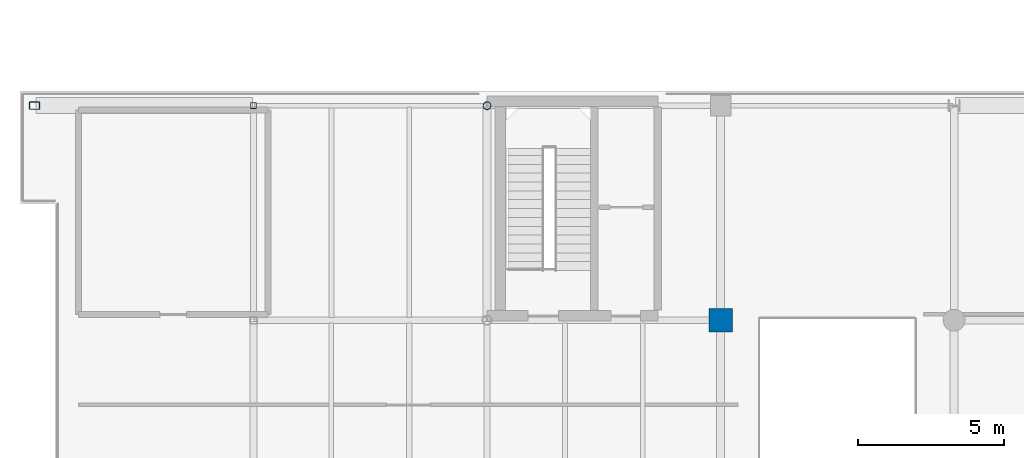
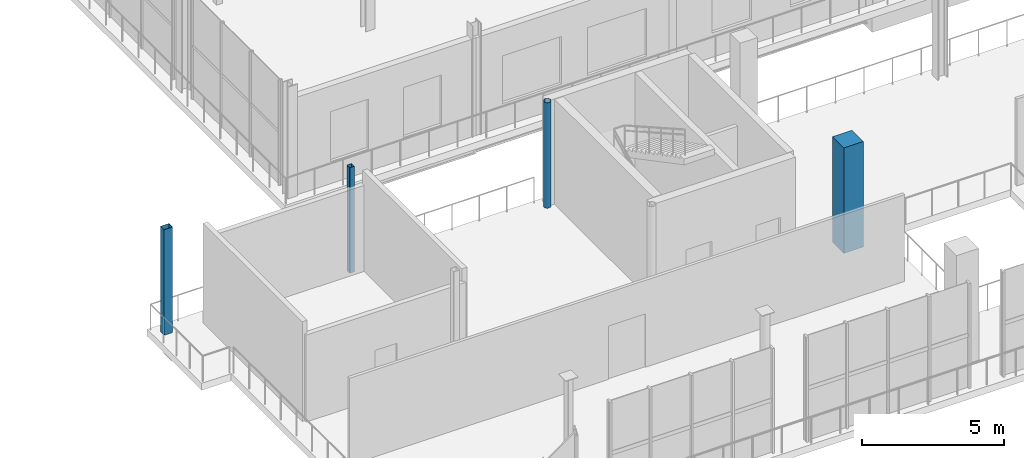
# One storey, part 3 of 93: 4 columns.
"""IFC4 building model written with IfcOpenShell, lengths in metres."""

from ifc_helpers import new_model, si_unit, direction, frame, origin, origin_2d, place, context, subcontext, project, spatial, rectangle, hollow_rectangle, hollow_circle, extrude, material, material_profile, profile_set, type_object, element, save


model = new_model("IFC4")

# Units and contexts
model_context = context("Model", 3, precision=1e-05, world=origin(), true_north=direction((0.0, 1.0)))
body_context = subcontext(model_context, "Body", "Model", "MODEL_VIEW")
ifc_project = project(units=[si_unit("LENGTHUNIT", "METRE"), si_unit("AREAUNIT", "SQUARE_METRE"), si_unit("VOLUMEUNIT", "CUBIC_METRE"), si_unit("PLANEANGLEUNIT", "RADIAN"), si_unit("MASSUNIT", "GRAM", prefix="KILO")], contexts=[model_context])

# Site, building, storey
site_placement = place(None, origin())
site = spatial("IfcSite", under=ifc_project, at=site_placement, CompositionType="ELEMENT")
building_placement = place(site_placement, origin())
building = spatial("IfcBuilding", under=site, at=building_placement, Name="Brisemont Oceanarium", CompositionType="ELEMENT")
storey_placement = place(building_placement, frame((0.0, 0.0, 5.39990234375)))
storey = spatial("IfcBuildingStorey", under=building, at=storey_placement, Name="L01", CompositionType="ELEMENT", Elevation=5.39990234375)

# Columns
ifc_material_1 = material(Name="Structural Steel ASTM A500 Gr.C", Category="steel")
ifc_material_profile_1 = material_profile(ifc_material_1, hollow_circle(Radius=0.136474609375, WallThickness=0.01171875, at=origin_2d()), Name="HSS10.750X0.500")
ifc_profile_set_1 = profile_set([ifc_material_profile_1], Name="Structural Steel ASTM A500 Gr.C")
column_type_1 = type_object("IfcColumnType", Name="COL-CHS10", PredefinedType="COLUMN", material=ifc_profile_set_1)
column_1_placement = place(storey_placement, frame((24.0, 31.35009765625, 0.0), z_axis=(0.0, 0.0, 1.0), x_axis=(0.0, 1.0, 0.0)))
element("IfcColumn", 1, at=column_1_placement, inside=storey, type_object=column_type_1, Name="V2 L01 column (2,3)", PredefinedType="COLUMN", context=body_context, shape_type="SweptSolid", body=[
    extrude(hollow_circle(Radius=0.136474609375, WallThickness=0.01171875, at=origin_2d()), origin(), (0.0, 0.0, 1.0), 4.5400390625),
])
ifc_material_2 = material(Name="Structural Steel ASTM A500 Gr.C", Category="steel")
ifc_material_profile_2 = material_profile(ifc_material_2, hollow_rectangle(XDim=0.25390625, YDim=0.35595703125, WallThickness=0.01171875, InnerFilletRadius=0.01220703125, OuterFilletRadius=0.02392578125, at=origin_2d()), Name="HSS14X10X1/2")
ifc_profile_set_2 = profile_set([ifc_material_profile_2], Name="Structural Steel ASTM A500 Gr.C")
column_type_2 = type_object("IfcColumnType", Name="COL-HSS14X10", PredefinedType="COLUMN", material=ifc_profile_set_2)
column_2_placement = place(storey_placement, frame((8.5, 31.35009765625, 0.0), z_axis=(0.0, 0.0, 1.0), x_axis=(0.0, 1.0, 0.0)))
element("IfcColumn", 2, at=column_2_placement, inside=storey, type_object=column_type_2, Name="V2 L01 column (0,3)", PredefinedType="COLUMN", context=body_context, shape_type="SweptSolid", body=[
    extrude(hollow_rectangle(XDim=0.25390625, YDim=0.35595703125, WallThickness=0.01171875, InnerFilletRadius=0.01220703125, OuterFilletRadius=0.02392578125, at=origin_2d()), origin(), (0.0, 0.0, 1.0), 4.5400390625),
])
ifc_material_3 = material(Name="Structural Steel ASTM A500 Gr.C", Category="steel")
ifc_material_profile_3 = material_profile(ifc_material_3, hollow_rectangle(XDim=0.202880859375, YDim=0.202880859375, WallThickness=0.0087890625, InnerFilletRadius=0.009033203125, OuterFilletRadius=0.01806640625, at=origin_2d()), Name="HSS8X8X3/8")
ifc_profile_set_3 = profile_set([ifc_material_profile_3], Name="Structural Steel ASTM A500 Gr.C")
column_type_3 = type_object("IfcColumnType", Name="COL-HSS8X8", PredefinedType="COLUMN", material=ifc_profile_set_3)
column_3_placement = place(storey_placement, frame((16.0, 31.35009765625, 0.0), z_axis=(0.0, 0.0, 1.0), x_axis=(1.0, 0.0, 0.0)))
element("IfcColumn", 3, at=column_3_placement, inside=storey, type_object=column_type_3, Name="V2 L01 column (1,3)", PredefinedType="COLUMN", context=body_context, shape_type="SweptSolid", body=[
    extrude(hollow_rectangle(XDim=0.202880859375, YDim=0.202880859375, WallThickness=0.0087890625, InnerFilletRadius=0.009033203125, OuterFilletRadius=0.01806640625, at=origin_2d()), origin(), (0.0, 0.0, 1.0), 4.5400390625),
])
ifc_material_4 = material(Name="Concrete C40/50", Category="concrete")
ifc_material_profile_4 = material_profile(ifc_material_4, rectangle(XDim=0.800048828125, YDim=0.800048828125, at=origin_2d()), Name="RC-COL-800X800")
ifc_profile_set_4 = profile_set([ifc_material_profile_4], Name="Concrete C40/50")
column_type_4 = type_object("IfcColumnType", Name="COL-RC800", PredefinedType="COLUMN", material=ifc_profile_set_4)
column_4_placement = place(storey_placement, frame((32.0, 24.0, 0.0), z_axis=(0.0, 0.0, 1.0), x_axis=(0.0, 1.0, 0.0)))
element("IfcColumn", 4, at=column_4_placement, inside=storey, type_object=column_type_4, Name="V2 L01 column (3,2)", PredefinedType="COLUMN", context=body_context, shape_type="SweptSolid", body=[
    extrude(rectangle(XDim=0.800048828125, YDim=0.800048828125, at=origin_2d()), origin(), (0.0, 0.0, 1.0), 4.5400390625),
])

save(model, "model.ifc")
